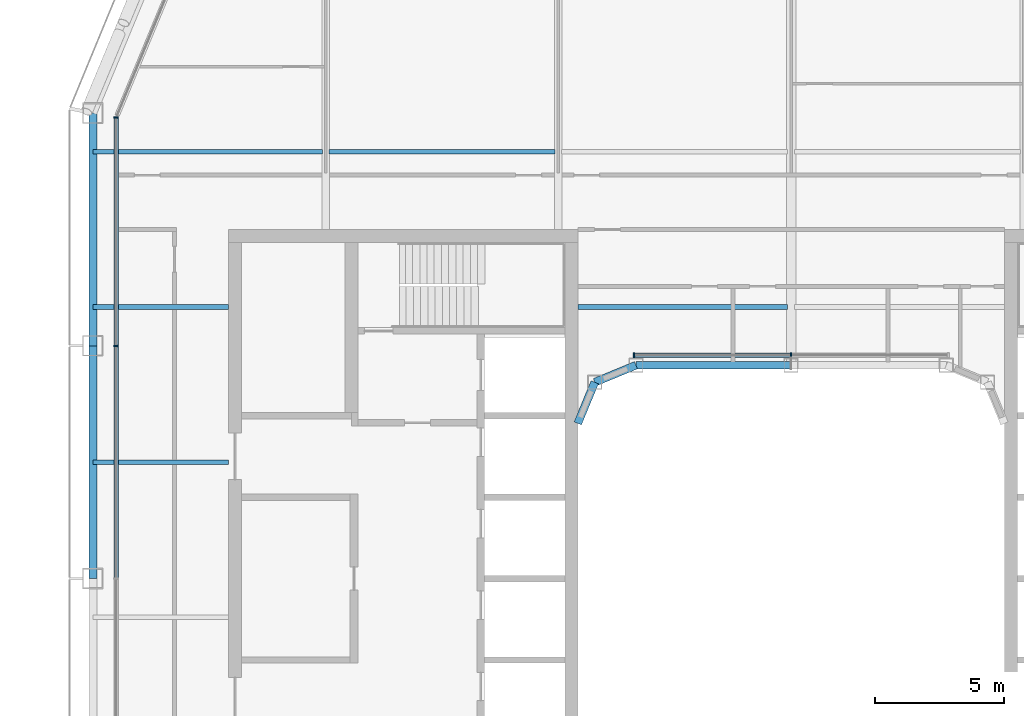
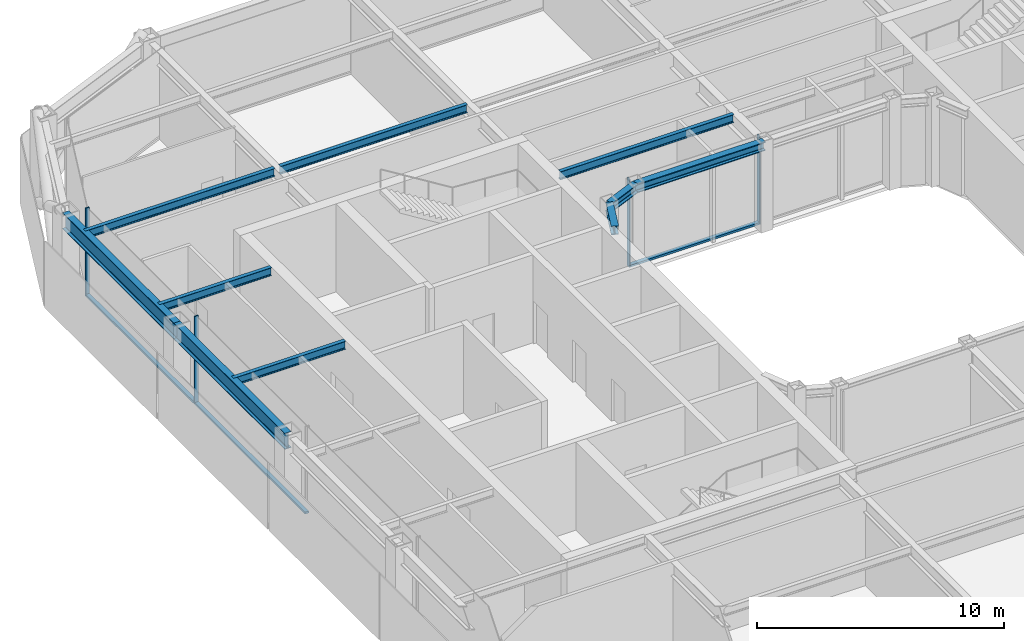
# One storey, part 6 of 23: 10 beams, 7 members, 2 elements without a shape of their own.
"""IFC4 building model written with IfcOpenShell, lengths in metres."""

from ifc_helpers import new_model, si_unit, direction, frame, origin, origin_2d, place, context, subcontext, project, spatial, rectangle, i_section, extrude, material, layer, layer_set, material_profile, profile_set, type_object, element, aggregate, save


model = new_model("IFC4")

# Units and contexts
model_context = context("Model", 3, precision=1e-05, world=origin(), true_north=direction((0.0, 1.0)))
body_context = subcontext(model_context, "Body", "Model", "MODEL_VIEW")
ifc_project = project(units=[si_unit("LENGTHUNIT", "METRE"), si_unit("AREAUNIT", "SQUARE_METRE"), si_unit("VOLUMEUNIT", "CUBIC_METRE"), si_unit("PLANEANGLEUNIT", "RADIAN"), si_unit("MASSUNIT", "GRAM", prefix="KILO")], contexts=[model_context])

# Site, building, storey
site_placement = place(None, origin())
site = spatial("IfcSite", under=ifc_project, at=site_placement, CompositionType="ELEMENT")
building_placement = place(site_placement, origin())
building = spatial("IfcBuilding", under=site, at=building_placement, Name="Siwar Civic Tower", CompositionType="ELEMENT")
storey_placement = place(building_placement, frame((0.0, 0.0, 269.199951171875)))
storey = spatial("IfcBuildingStorey", under=building, at=storey_placement, Name="L58", CompositionType="ELEMENT", Elevation=269.199951171875)

# Curtain wall, members
ifc_material_1 = material(Name="Aluminium and glass", Category="aluminium")
ifc_layer_1 = layer(ifc_material_1, 0.179931640625)
ifc_layer_set_1 = layer_set([ifc_layer_1], Name="Aluminium and glass")
curtain_wall_type_1 = type_object("IfcCurtainWallType", Name="ENV-CW-C", PredefinedType="NOTDEFINED", material=ifc_layer_set_1)
curtain_wall_1_placement = place(storey_placement, origin())
curtain_wall_1 = element("IfcCurtainWall", 1, at=curtain_wall_1_placement, inside=storey, type_object=curtain_wall_type_1, Name="Curtain wall C W", PredefinedType="NOTDEFINED")
ifc_material_2 = material(Name="Aluminium 6063-T6", Category="aluminium")
ifc_material_profile_1 = material_profile(ifc_material_2, rectangle(XDim=0.179931640625, YDim=0.06005859375, at=origin_2d()), Name="AL 180x60")
ifc_profile_set_1 = profile_set([ifc_material_profile_1], Name="Aluminium 6063-T6")
member_type_1 = type_object("IfcMemberType", Name="ENV-MULLION-C", PredefinedType="MULLION", material=ifc_profile_set_1)
member_1_placement = place(storey_placement, frame((-26.10009765625, 17.821044921875, 0.0), z_axis=(0.0, 0.0, 1.0), x_axis=(1.0, 0.0, 0.0)))
member_1 = element("IfcMember", 2, at=member_1_placement, type_object=member_type_1, Name="Mullion C W 1", PredefinedType="MULLION", context=body_context, shape_type="SweptSolid", body=[
    extrude(rectangle(XDim=0.179931640625, YDim=0.06005859375, at=origin_2d()), origin(), (0.0, 0.0, 1.0), 4.35009765625),
])
member_2_placement = place(storey_placement, frame((-26.10009765625, 9.0, 0.0), z_axis=(0.0, 0.0, 1.0), x_axis=(1.0, 0.0, 0.0)))
member_2 = element("IfcMember", 3, at=member_2_placement, type_object=member_type_1, Name="Mullion C W 2", PredefinedType="MULLION", context=body_context, shape_type="SweptSolid", body=[
    extrude(rectangle(XDim=0.179931640625, YDim=0.06005859375, at=origin_2d()), origin(), (0.0, 0.0, 1.0), 4.35009765625),
])

ifc_material_3 = material(Name="Aluminium and glass", Category="aluminium")
ifc_layer_2 = layer(ifc_material_3, 0.179931640625)
ifc_layer_set_2 = layer_set([ifc_layer_2], Name="Aluminium and glass")
curtain_wall_type_2 = type_object("IfcCurtainWallType", Name="ENV-CW-W", PredefinedType="NOTDEFINED", material=ifc_layer_set_2)
curtain_wall_2_placement = place(storey_placement, origin())
curtain_wall_2 = element("IfcCurtainWall", 4, at=curtain_wall_2_placement, inside=storey, type_object=curtain_wall_type_2, Name="Curtain wall W WN", PredefinedType="NOTDEFINED")
ifc_material_4 = material(Name="Aluminium 6063-T6", Category="aluminium")
ifc_material_profile_2 = material_profile(ifc_material_4, rectangle(XDim=0.179931640625, YDim=0.06005859375, at=origin_2d()), Name="AL 180x60")
ifc_profile_set_2 = profile_set([ifc_material_profile_2], Name="Aluminium 6063-T6")
member_type_2 = type_object("IfcMemberType", Name="ENV-MULLION-W", PredefinedType="MULLION", material=ifc_profile_set_2)
member_3_placement = place(storey_placement, frame((0.0, 8.635009765625, 0.0), z_axis=(0.0, 0.0, 1.0), x_axis=(0.0, -1.0, 0.0)))
member_3 = element("IfcMember", 5, at=member_3_placement, type_object=member_type_2, Name="Mullion W WN 2", PredefinedType="MULLION", context=body_context, shape_type="SweptSolid", body=[
    extrude(rectangle(XDim=0.179931640625, YDim=0.06005859375, at=origin_2d()), origin(), (0.0, 0.0, 1.0), 4.35009765625),
])
member_4_placement = place(storey_placement, frame((-6.07666015625, 8.635009765625, 0.0), z_axis=(0.0, 0.0, 1.0), x_axis=(0.0, -1.0, 0.0)))
member_4 = element("IfcMember", 6, at=member_4_placement, type_object=member_type_2, Name="Mullion W WN 3", PredefinedType="MULLION", context=body_context, shape_type="SweptSolid", body=[
    extrude(rectangle(XDim=0.179931640625, YDim=0.06005859375, at=origin_2d()), origin(), (0.0, 0.0, 1.0), 4.35009765625),
])

# Member
ifc_material_5 = material(Name="Aluminium 6063-T6", Category="aluminium")
ifc_material_profile_3 = material_profile(ifc_material_5, rectangle(XDim=0.179931640625, YDim=0.10009765625, at=origin_2d()), Name="AL 180x100")
ifc_profile_set_3 = profile_set([ifc_material_profile_3], Name="Aluminium 6063-T6")
member_type_3 = type_object("IfcMemberType", Name="ENV-TRANSOM-C", PredefinedType="USERDEFINED", material=ifc_profile_set_3)
member_5_placement = place(storey_placement, frame((-26.10009765625, 17.791015625, 0.050048828125), z_axis=(0.0, -1.0, 0.0), x_axis=(1.0, 0.0, 0.0)))
member_5 = element("IfcMember", 7, at=member_5_placement, type_object=member_type_3, Name="Transom C W 1", ObjectType="TRANSOM", PredefinedType="USERDEFINED", context=body_context, shape_type="SweptSolid", body=[
    extrude(rectangle(XDim=0.179931640625, YDim=0.10009765625, at=origin_2d()), origin(), (0.0, 0.0, 1.0), 8.760986328125),
])

member_6_placement = place(storey_placement, frame((-26.10009765625, 8.969970703125, 0.050048828125), z_axis=(0.0, -1.0, 0.0), x_axis=(1.0, 0.0, 0.0)))
member_6 = element("IfcMember", 8, at=member_6_placement, type_object=member_type_3, Name="Transom C W 2", ObjectType="TRANSOM", PredefinedType="USERDEFINED", context=body_context, shape_type="SweptSolid", body=[
    extrude(rectangle(XDim=0.179931640625, YDim=0.10009765625, at=origin_2d()), origin(), (0.0, 0.0, 1.0), 8.93994140625),
])

aggregate(curtain_wall_1, [member_1, member_2, member_5, member_6])

ifc_material_6 = material(Name="Aluminium 6063-T6", Category="aluminium")
ifc_material_profile_4 = material_profile(ifc_material_6, rectangle(XDim=0.179931640625, YDim=0.10009765625, at=origin_2d()), Name="AL 180x100")
ifc_profile_set_4 = profile_set([ifc_material_profile_4], Name="Aluminium 6063-T6")
member_type_4 = type_object("IfcMemberType", Name="ENV-TRANSOM-W", PredefinedType="USERDEFINED", material=ifc_profile_set_4)
member_7_placement = place(storey_placement, frame((-0.030029296875, 8.635009765625, 0.050048828125), z_axis=(-1.0, 0.0, 0.0), x_axis=(0.0, -1.0, 0.0)))
member_7 = element("IfcMember", 9, at=member_7_placement, type_object=member_type_4, Name="Transom W WN 2", ObjectType="TRANSOM", PredefinedType="USERDEFINED", context=body_context, shape_type="SweptSolid", body=[
    extrude(rectangle(XDim=0.179931640625, YDim=0.10009765625, at=origin_2d()), origin(), (0.0, 0.0, 1.0), 6.0166015625),
])

aggregate(curtain_wall_2, [member_3, member_4, member_7])

# Beams
ifc_material_7 = material(Name="Steel S355", Category="steel")
ifc_material_profile_5 = material_profile(ifc_material_7, i_section(OverallWidth=0.179931640625, OverallDepth=0.39990234375, WebThickness=0.008544921875, FlangeThickness=0.013427734375, FilletRadius=0.02099609375, at=origin_2d()), Name="IPE400")
ifc_profile_set_5 = profile_set([ifc_material_profile_5], Name="Steel S355")
beam_type_1 = type_object("IfcBeamType", Name="STR-FB-IPE400", PredefinedType="JOIST", material=ifc_profile_set_5)
for number, where, z_axis, x_axis, name in (
    (10, (-27.0, 4.5, 4.150146484375), (1.0, 0.0, 0.0), (0.0, 1.0, 0.0), "L58/bm/F025"),
    (11, (-27.0, 10.5, 4.150146484375), (1.0, 0.0, 0.0), (0.0, 1.0, 0.0), "L58/bm/F027"),
):
    element("IfcBeam", number, at=place(storey_placement, frame(where, z_axis=z_axis, x_axis=x_axis)), inside=storey, type_object=beam_type_1, Name=name, PredefinedType="JOIST", context=body_context, shape_type="SweptSolid", body=[
        extrude(i_section(OverallWidth=0.179931640625, OverallDepth=0.39990234375, WebThickness=0.008544921875, FlangeThickness=0.013427734375, FilletRadius=0.02099609375, at=origin_2d()), origin(), (0.0, 0.0, 1.0), 5.25),
    ])
beam_1_placement = place(storey_placement, frame((-8.25, 10.5, 4.150146484375), z_axis=(1.0, 0.0, 0.0), x_axis=(0.0, 1.0, 0.0)))
element("IfcBeam", 12, at=beam_1_placement, inside=storey, type_object=beam_type_1, Name="L58/bm/F028", PredefinedType="JOIST", context=body_context, shape_type="SweptSolid", body=[
    extrude(i_section(OverallWidth=0.179931640625, OverallDepth=0.39990234375, WebThickness=0.008544921875, FlangeThickness=0.013427734375, FilletRadius=0.02099609375, at=origin_2d()), origin(), (0.0, 0.0, 1.0), 8.1201171875),
])
beam_2_placement = place(storey_placement, frame((-27.0, 16.5, 4.150146484375), z_axis=(1.0, 0.0, 0.0), x_axis=(0.0, 1.0, 0.0)))
element("IfcBeam", 13, at=beam_2_placement, inside=storey, type_object=beam_type_1, Name="L58/bm/F031", PredefinedType="JOIST", context=body_context, shape_type="SweptSolid", body=[
    extrude(i_section(OverallWidth=0.179931640625, OverallDepth=0.39990234375, WebThickness=0.008544921875, FlangeThickness=0.013427734375, FilletRadius=0.02099609375, at=origin_2d()), origin(), (0.0, 0.0, 1.0), 8.8701171875),
])
beam_3_placement = place(storey_placement, frame((-17.8701171875, 16.5, 4.150146484375), z_axis=(1.0, 0.0, 0.0), x_axis=(0.0, 1.0, 0.0)))
element("IfcBeam", 14, at=beam_3_placement, inside=storey, type_object=beam_type_1, Name="L58/bm/F032", PredefinedType="JOIST", context=body_context, shape_type="SweptSolid", body=[
    extrude(i_section(OverallWidth=0.179931640625, OverallDepth=0.39990234375, WebThickness=0.008544921875, FlangeThickness=0.013427734375, FilletRadius=0.02099609375, at=origin_2d()), origin(), (0.0, 0.0, 1.0), 8.740234375),
])
ifc_material_8 = material(Name="Steel S355", Category="steel")
ifc_material_profile_6 = material_profile(ifc_material_8, i_section(OverallWidth=0.306884765625, OverallDepth=0.431884765625, WebThickness=0.02099609375, FlangeThickness=0.0400390625, FilletRadius=0.027099609375, at=origin_2d()), Name="HEM400")
ifc_profile_set_6 = profile_set([ifc_material_profile_6], Name="Steel S355")
beam_type_2 = type_object("IfcBeamType", Name="STR-RB-HEM400", PredefinedType="BEAM", material=ifc_profile_set_6)
beam_4_placement = place(storey_placement, frame((-7.591064453125, 7.591064453125, 4.134033203125), z_axis=(0.923901072997, 0.382631424892, 0.0), x_axis=(-0.382631424892, 0.923901072997, 0.0)))
element("IfcBeam", 15, at=beam_4_placement, inside=storey, type_object=beam_type_2, Name="L58/bm/RN0", PredefinedType="BEAM", context=body_context, shape_type="SweptSolid", body=[
    extrude(i_section(OverallWidth=0.306884765625, OverallDepth=0.431884765625, WebThickness=0.02099609375, FlangeThickness=0.0400390625, FilletRadius=0.027099609375, at=origin_2d()), origin(), (0.0, 0.0, 1.0), 1.72216796875),
])
beam_5_placement = place(storey_placement, frame((-6.0, 8.25, 4.134033203125), z_axis=(1.0, 0.0, 0.0), x_axis=(0.0, 1.0, 0.0)))
element("IfcBeam", 16, at=beam_5_placement, inside=storey, type_object=beam_type_2, Name="L58/bm/RN1", PredefinedType="BEAM", context=body_context, shape_type="SweptSolid", body=[
    extrude(i_section(OverallWidth=0.306884765625, OverallDepth=0.431884765625, WebThickness=0.02099609375, FlangeThickness=0.0400390625, FilletRadius=0.027099609375, at=origin_2d()), origin(), (0.0, 0.0, 1.0), 6.0),
])
beam_6_placement = place(storey_placement, frame((-7.591064453125, 7.591064453125, 4.134033203125), z_axis=(-0.382631424892, -0.923901072997, 0.0), x_axis=(0.923901072997, -0.382631424892, 0.0)))
element("IfcBeam", 17, at=beam_6_placement, inside=storey, type_object=beam_type_2, Name="L58/bm/RNEW", PredefinedType="BEAM", context=body_context, shape_type="SweptSolid", body=[
    extrude(i_section(OverallWidth=0.306884765625, OverallDepth=0.431884765625, WebThickness=0.02099609375, FlangeThickness=0.0400390625, FilletRadius=0.027099609375, at=origin_2d()), origin(), (0.0, 0.0, 1.0), 1.72216796875),
])
ifc_material_9 = material(Name="Steel S355", Category="steel")
ifc_material_profile_7 = material_profile(ifc_material_9, i_section(OverallWidth=0.300048828125, OverallDepth=0.800048828125, WebThickness=0.017578125, FlangeThickness=0.032958984375, FilletRadius=0.030029296875, at=origin_2d()), Name="HEB800")
ifc_profile_set_7 = profile_set([ifc_material_profile_7], Name="Steel S355")
beam_type_3 = type_object("IfcBeamType", Name="STR-SB-HEB800", PredefinedType="BEAM", material=ifc_profile_set_7)
for number, where, z_axis, x_axis, name in (
    (18, (-27.0, 18.0, 3.949951171875), (0.0, -1.0, 0.0), (1.0, 0.0, 0.0), "L58/bm/SW-0"),
    (19, (-27.0, 9.0, 3.949951171875), (0.0, -1.0, 0.0), (1.0, 0.0, 0.0), "L58/bm/SW-1"),
):
    element("IfcBeam", number, at=place(storey_placement, frame(where, z_axis=z_axis, x_axis=x_axis)), inside=storey, type_object=beam_type_3, Name=name, PredefinedType="BEAM", context=body_context, shape_type="SweptSolid", body=[
        extrude(i_section(OverallWidth=0.300048828125, OverallDepth=0.800048828125, WebThickness=0.017578125, FlangeThickness=0.032958984375, FilletRadius=0.030029296875, at=origin_2d()), origin(), (0.0, 0.0, 1.0), 9.0),
    ])

save(model, "model.ifc")
